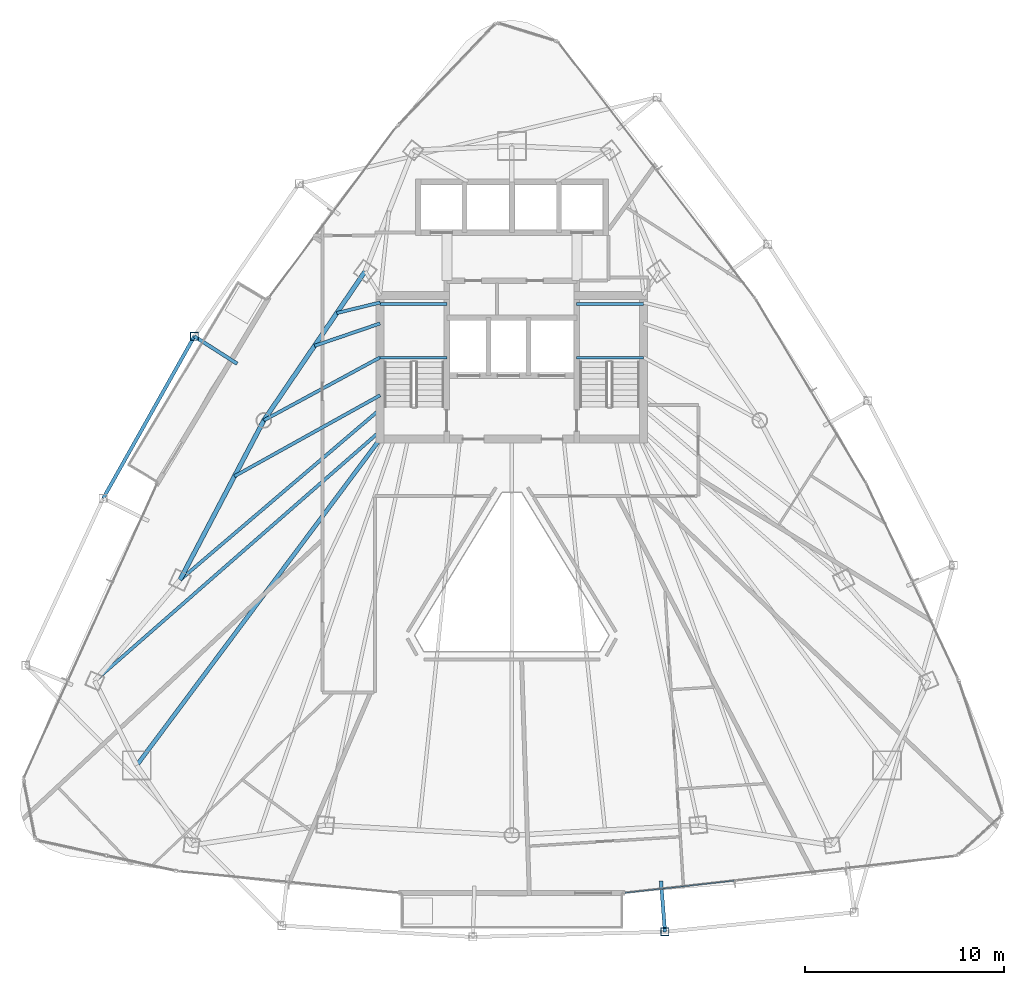
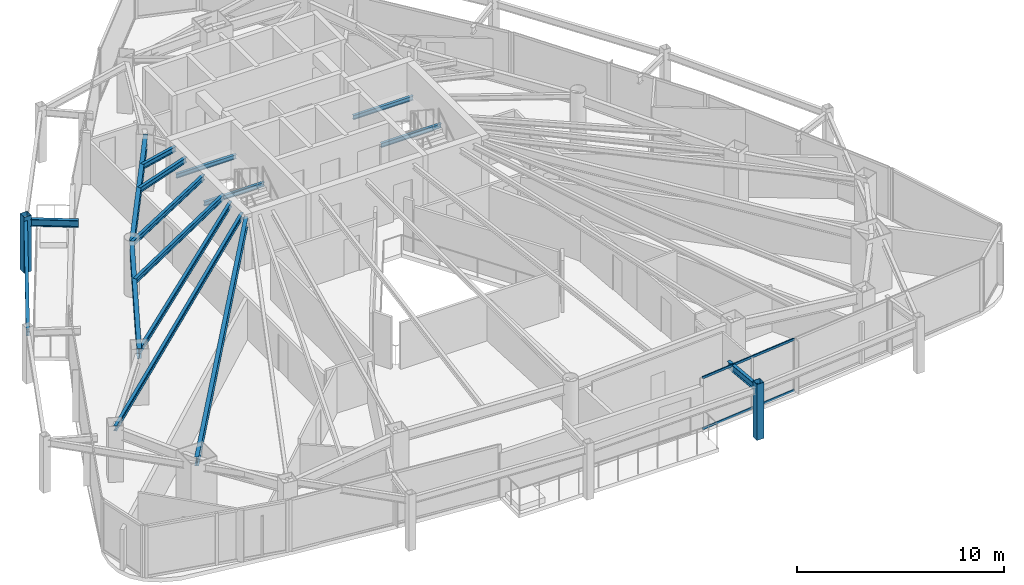
# One storey, part 11 of 29: 16 beams, 4 members, 1 element without a shape of its own.
"""IFC4 building model written with IfcOpenShell, lengths in metres."""

from ifc_helpers import new_model, si_unit, direction, frame, origin, origin_2d, place, context, subcontext, project, spatial, hollow_rectangle, i_section, extrude, material, layer, layer_set, material_profile, profile_set, type_object, element, aggregate, save


model = new_model("IFC4")

# Units and contexts
model_context = context("Model", 3, precision=1e-05, world=origin(), true_north=direction((0.0, 1.0)))
body_context = subcontext(model_context, "Body", "Model", "MODEL_VIEW")
ifc_project = project(units=[si_unit("LENGTHUNIT", "METRE"), si_unit("AREAUNIT", "SQUARE_METRE"), si_unit("VOLUMEUNIT", "CUBIC_METRE"), si_unit("PLANEANGLEUNIT", "RADIAN"), si_unit("MASSUNIT", "GRAM", prefix="KILO")], contexts=[model_context])

# Site, building, storey
site_placement = place(None, origin())
site = spatial("IfcSite", under=ifc_project, at=site_placement, CompositionType="ELEMENT")
building_placement = place(site_placement, origin())
building = spatial("IfcBuilding", under=site, at=building_placement, Name="Orvanel Arch Residences", CompositionType="ELEMENT")
storey_placement = place(building_placement, frame((0.0, 0.0, 173.75)))
storey = spatial("IfcBuildingStorey", under=building, at=storey_placement, Name="L49", CompositionType="ELEMENT", Elevation=173.75)

# Beams
ifc_material_1 = material(Name="Structural steel AS/NZS 3679.1 Grade 300 (300 MPa)", Category="steel")
ifc_material_profile_1 = material_profile(ifc_material_1, i_section(OverallWidth=0.208984375, OverallDepth=0.532958984375, WebThickness=0.01025390625, FlangeThickness=0.015625, at=origin_2d()), Name="530UB92.4")
ifc_profile_set_1 = profile_set([ifc_material_profile_1], Name="Structural steel AS/NZS 3679.1 Grade 300 (300 MPa)")
beam_type_1 = type_object("IfcBeamType", Name="BG-530UB", PredefinedType="BEAM", material=ifc_profile_set_1)
beam_1_placement = place(storey_placement, frame((26.375, 26.675048828125, 2.79296875), z_axis=(-0.597893733742, -0.801575375839, 0.0), x_axis=(0.801575375839, -0.597893733742, 0.0)))
element("IfcBeam", 1, at=beam_1_placement, inside=storey, type_object=beam_type_1, Name="L49 South-West Radial Girder", PredefinedType="BEAM", context=body_context, shape_type="SweptSolid", body=[
    extrude(i_section(OverallWidth=0.208984375, OverallDepth=0.532958984375, WebThickness=0.01025390625, FlangeThickness=0.015625, at=origin_2d()), origin(), (0.0, 0.0, 1.0), 20.36474609375),
])
ifc_material_profile_2 = material_profile(ifc_material_1, i_section(OverallWidth=0.14599609375, OverallDepth=0.251953125, WebThickness=0.006103515625, FlangeThickness=0.008544921875, at=origin_2d()), Name="250UB31.4")
ifc_profile_set_2 = profile_set([ifc_material_profile_2], Name="Structural steel AS/NZS 3679.1 Grade 300 (300 MPa)")
beam_type_2 = type_object("IfcBeamType", Name="BJ-250UB", PredefinedType="JOIST", material=ifc_profile_set_2)
for number, where, z_axis, x_axis, name in (
    (2, (26.39990234375, 30.780029296875, 1.323974609375), (1.0, 0.0, 0.0), (0.0, 1.0, 0.0), "L49 ST-1 Half-Landing Support Beam 1.1"),
    (3, (26.39990234375, 33.47998046875, 1.323974609375), (1.0, 0.0, 0.0), (0.0, 1.0, 0.0), "L49 ST-1 Half-Landing Support Beam 1.2"),
    (4, (36.25, 30.780029296875, 1.323974609375), (1.0, 0.0, 0.0), (0.0, 1.0, 0.0), "L49 ST-2 Half-Landing Support Beam 1.1"),
    (5, (36.25, 33.47998046875, 1.323974609375), (1.0, 0.0, 0.0), (0.0, 1.0, 0.0), "L49 ST-2 Half-Landing Support Beam 1.2"),
):
    element("IfcBeam", number, at=place(storey_placement, frame(where, z_axis=z_axis, x_axis=x_axis)), inside=storey, type_object=beam_type_2, Name=name, PredefinedType="JOIST", context=body_context, shape_type="SweptSolid", body=[
        extrude(i_section(OverallWidth=0.14599609375, OverallDepth=0.251953125, WebThickness=0.006103515625, FlangeThickness=0.008544921875, at=origin_2d()), origin(), (0.0, 0.0, 1.0), 3.35009765625),
    ])
ifc_material_profile_3 = material_profile(ifc_material_1, i_section(OverallWidth=0.1650390625, OverallDepth=0.303955078125, WebThickness=0.006103515625, FlangeThickness=0.01025390625, at=origin_2d()), Name="310UB40.4")
ifc_profile_set_3 = profile_set([ifc_material_profile_3], Name="Structural steel AS/NZS 3679.1 Grade 300 (300 MPa)")
beam_type_3 = type_object("IfcBeamType", Name="BJ-310UB", PredefinedType="JOIST", material=ifc_profile_set_3)
beam_2_placement = place(storey_placement, frame((26.39990234375, 30.800048828125, 2.907958984375), z_axis=(-0.87925534649, -0.476350748576, 0.0), x_axis=(0.476350748576, -0.87925534649, 0.0)))
element("IfcBeam", 6, at=beam_2_placement, inside=storey, type_object=beam_type_3, Name="L49 NW Wing Floor Joist", PredefinedType="JOIST", context=body_context, shape_type="SweptSolid", body=[
    extrude(i_section(OverallWidth=0.1650390625, OverallDepth=0.303955078125, WebThickness=0.006103515625, FlangeThickness=0.01025390625, at=origin_2d()), origin(), (0.0, 0.0, 1.0), 6.631591796875),
])
beam_3_placement = place(storey_placement, frame((26.39990234375, 28.199951171875, 2.907958984375), z_axis=(-0.760821315761, -0.648961420644, 0.0), x_axis=(0.648961420644, -0.760821315761, 0.0)))
element("IfcBeam", 7, at=beam_3_placement, inside=storey, type_object=beam_type_3, Name="L49 W Wing Floor Joist", PredefinedType="JOIST", context=body_context, shape_type="SweptSolid", body=[
    extrude(i_section(OverallWidth=0.1650390625, OverallDepth=0.303955078125, WebThickness=0.006103515625, FlangeThickness=0.01025390625, at=origin_2d()), origin(), (0.0, 0.0, 1.0), 13.18701171875),
])
beam_4_placement = place(storey_placement, frame((26.39990234375, 32.5, 2.907958984375), z_axis=(-0.946441958332, -0.322873999431, 0.0), x_axis=(0.322873999431, -0.946441958332, 0.0)))
element("IfcBeam", 8, at=beam_4_placement, inside=storey, type_object=beam_type_3, Name="L49 WNW Wing Floor Joist", PredefinedType="JOIST", context=body_context, shape_type="SweptSolid", body=[
    extrude(i_section(OverallWidth=0.1650390625, OverallDepth=0.303955078125, WebThickness=0.006103515625, FlangeThickness=0.01025390625, at=origin_2d()), origin(), (0.0, 0.0, 1.0), 3.478271484375),
])
beam_5_placement = place(storey_placement, frame((26.39990234375, 27.10009765625, 2.907958984375), z_axis=(-0.752493154183, -0.658600070534, 0.0), x_axis=(0.658600070534, -0.752493154183, 0.0)))
element("IfcBeam", 9, at=beam_5_placement, inside=storey, type_object=beam_type_3, Name="L49 MW Wing Floor Joist", PredefinedType="JOIST", context=body_context, shape_type="SweptSolid", body=[
    extrude(i_section(OverallWidth=0.1650390625, OverallDepth=0.303955078125, WebThickness=0.006103515625, FlangeThickness=0.01025390625, at=origin_2d()), origin(), (0.0, 0.0, 1.0), 19.010009765625),
])
beam_6_placement = place(storey_placement, frame((26.39990234375, 28.89990234375, 2.907958984375), z_axis=(-0.87404697606, -0.485841418202, 0.0), x_axis=(0.485841418202, -0.87404697606, 0.0)))
element("IfcBeam", 10, at=beam_6_placement, inside=storey, type_object=beam_type_3, Name="L49 CTW Wing Floor Joist", PredefinedType="JOIST", context=body_context, shape_type="SweptSolid", body=[
    extrude(i_section(OverallWidth=0.1650390625, OverallDepth=0.303955078125, WebThickness=0.006103515625, FlangeThickness=0.01025390625, at=origin_2d()), origin(), (0.0, 0.0, 1.0), 8.354248046875),
])
beam_7_placement = place(storey_placement, frame((26.39990234375, 33.550048828125, 2.907958984375), z_axis=(-0.971638471014, -0.236471312521, 0.0), x_axis=(0.236471312521, -0.971638471014, 0.0)))
element("IfcBeam", 11, at=beam_7_placement, inside=storey, type_object=beam_type_3, Name="L49 JADD3 Wing Floor Joist", PredefinedType="JOIST", context=body_context, shape_type="SweptSolid", body=[
    extrude(i_section(OverallWidth=0.1650390625, OverallDepth=0.303955078125, WebThickness=0.006103515625, FlangeThickness=0.01025390625, at=origin_2d()), origin(), (0.0, 0.0, 1.0), 2.2373046875),
])
ifc_material_profile_4 = material_profile(ifc_material_1, i_section(OverallWidth=0.177978515625, OverallDepth=0.406005859375, WebThickness=0.0078125, FlangeThickness=0.0126953125, at=origin_2d()), Name="410UB59.7")
ifc_profile_set_4 = profile_set([ifc_material_profile_4], Name="Structural steel AS/NZS 3679.1 Grade 300 (300 MPa)")
beam_type_4 = type_object("IfcBeamType", Name="OB-410UB-EXT", PredefinedType="SPANDREL", material=ifc_profile_set_4)
beam_8_placement = place(storey_placement, frame((19.23388671875, 30.47998046875, 2.85693359375), z_axis=(-0.842563471416, 0.538597063337, 0.0), x_axis=(-0.538597063337, -0.842563471416, 0.0)))
element("IfcBeam", 12, at=beam_8_placement, inside=storey, type_object=beam_type_4, Name="L49 Outer Frame Radial Tie Beam 02", PredefinedType="SPANDREL", context=body_context, shape_type="SweptSolid", body=[
    extrude(i_section(OverallWidth=0.177978515625, OverallDepth=0.406005859375, WebThickness=0.0078125, FlangeThickness=0.0126953125, at=origin_2d()), origin(), (0.0, 0.0, 1.0), 2.54931640625),
])
beam_9_placement = place(storey_placement, frame((17.0859375, 31.85302734375, 2.85693359375), z_axis=(-0.490320919512, -0.871541964502, 0.0), x_axis=(0.871541964502, -0.490320919512, 0.0)))
element("IfcBeam", 13, at=beam_9_placement, inside=storey, type_object=beam_type_4, Name="L49 Outer Perimeter Floor Ring Beam 02", PredefinedType="SPANDREL", context=body_context, shape_type="SweptSolid", body=[
    extrude(i_section(OverallWidth=0.177978515625, OverallDepth=0.406005859375, WebThickness=0.0078125, FlangeThickness=0.0126953125, at=origin_2d()), origin(), (0.0, 0.0, 1.0), 9.322509765625),
])
beam_10_placement = place(storey_placement, frame((40.47900390625, 4.5458984375, 2.85693359375), z_axis=(0.07800658293, -0.99695284393, 0.0), x_axis=(0.99695284393, 0.07800658293, 0.0)))
element("IfcBeam", 14, at=beam_10_placement, inside=storey, type_object=beam_type_4, Name="L49 Outer Frame Radial Tie Beam 07", PredefinedType="SPANDREL", context=body_context, shape_type="SweptSolid", body=[
    extrude(i_section(OverallWidth=0.177978515625, OverallDepth=0.406005859375, WebThickness=0.0078125, FlangeThickness=0.0126953125, at=origin_2d()), origin(), (0.0, 0.0, 1.0), 2.55078125),
])
ifc_material_profile_5 = material_profile(ifc_material_1, i_section(OverallWidth=0.22900390625, OverallDepth=0.612060546875, WebThickness=0.011962890625, FlangeThickness=0.01953125, at=origin_2d()), Name="610UB125")
ifc_profile_set_5 = profile_set([ifc_material_profile_5], Name="Structural steel AS/NZS 3679.1 Grade 300 (300 MPa)")
beam_type_5 = type_object("IfcBeamType", Name="SP-610UB", PredefinedType="SPANDREL", material=ifc_profile_set_5)
beam_11_placement = place(storey_placement, frame((25.64794921875, 35.113037109375, 2.75390625), z_axis=(-0.562154793153, -0.827032035978, 0.0), x_axis=(0.827032035978, -0.562154793153, 0.0)))
element("IfcBeam", 15, at=beam_11_placement, inside=storey, type_object=beam_type_5, Name="L49 Perimeter Spandrel Beam 17", PredefinedType="SPANDREL", context=body_context, shape_type="SweptSolid", body=[
    extrude(i_section(OverallWidth=0.22900390625, OverallDepth=0.612060546875, WebThickness=0.011962890625, FlangeThickness=0.01953125, at=origin_2d()), origin(), (0.0, 0.0, 1.0), 9.03466796875),
])
beam_12_placement = place(storey_placement, frame((20.569091796875, 27.64111328125, 2.75390625), z_axis=(-0.465064762793, -0.885276660942, 0.0), x_axis=(0.885276660942, -0.465064762793, 0.0)))
element("IfcBeam", 16, at=beam_12_placement, inside=storey, type_object=beam_type_5, Name="L49 Perimeter Spandrel Beam 18", PredefinedType="SPANDREL", context=body_context, shape_type="SweptSolid", body=[
    extrude(i_section(OverallWidth=0.22900390625, OverallDepth=0.612060546875, WebThickness=0.011962890625, FlangeThickness=0.01953125, at=origin_2d()), origin(), (0.0, 0.0, 1.0), 9.03564453125),
])

# Members
ifc_material_2 = material(Name="Structural steel AS/NZS 1163 C450L0 (Grade 450)", Category="steel")
ifc_material_profile_6 = material_profile(ifc_material_2, hollow_rectangle(XDim=0.39990234375, YDim=0.39990234375, WallThickness=0.01611328125, at=origin_2d()), Name="SHS400x400x16")
ifc_profile_set_6 = profile_set([ifc_material_profile_6], Name="Structural steel AS/NZS 1163 C450L0 (Grade 450)")
member_type_1 = type_object("IfcMemberType", Name="ST-400SHS-EXT", PredefinedType="STRUT", material=ifc_profile_set_6)
for number, where, z_axis, x_axis, name in (
    (17, (17.0859375, 31.85302734375, 0.0), (0.0, 0.0, 1.0), (1.0, 0.0, 0.0), "L49 Outer Perimeter Frame Post 02"),
    (18, (40.677978515625, 2.0029296875, 0.0), (0.0, 0.0, 1.0), (1.0, 0.0, 0.0), "L49 Outer Perimeter Frame Post 07"),
):
    element("IfcMember", number, at=place(storey_placement, frame(where, z_axis=z_axis, x_axis=x_axis)), inside=storey, type_object=member_type_1, Name=name, PredefinedType="STRUT", context=body_context, shape_type="SweptSolid", body=[
        extrude(hollow_rectangle(XDim=0.39990234375, YDim=0.39990234375, WallThickness=0.01611328125, at=origin_2d()), origin(), (0.0, 0.0, 1.0), 3.300048828125),
    ])

# Curtain wall, members
ifc_material_3 = material(Name="Bronze-anodised aluminium AA6063-T6", Category="aluminium")
ifc_layer = layer(ifc_material_3, 0.179931640625)
ifc_layer_set = layer_set([ifc_layer], Name="Bronze-anodised aluminium AA6063-T6")
curtain_wall_type = type_object("IfcCurtainWallType", Name="CW3-MID-SYS", PredefinedType="NOTDEFINED", material=ifc_layer_set)
curtain_wall_placement = place(storey_placement, origin())
curtain_wall = element("IfcCurtainWall", 19, at=curtain_wall_placement, inside=storey, type_object=curtain_wall_type, Name="L49 CW3-MID-SYS Unitised Curtain Wall", PredefinedType="NOTDEFINED")
ifc_material_profile_7 = material_profile(ifc_material_3, hollow_rectangle(XDim=0.06005859375, YDim=0.135009765625, WallThickness=0.00390625, at=origin_2d()), Name="ALU135x60x4")
ifc_profile_set_7 = profile_set([ifc_material_profile_7], Name="Bronze-anodised aluminium AA6063-T6")
member_type_2 = type_object("IfcMemberType", Name="TRN-135x60", PredefinedType="USERDEFINED", material=ifc_profile_set_7)
member_1_placement = place(storey_placement, frame((38.66748046875, 3.954833984375, 0.030029296875), z_axis=(0.993841943427, 0.110807001069, 0.0), x_axis=(-0.110807001069, 0.993841943427, 0.0)))
member_1 = element("IfcMember", 20, at=member_1_placement, type_object=member_type_2, Name="CW-S3 transom 1.1", ObjectType="TRANSOM", PredefinedType="USERDEFINED", context=body_context, shape_type="SweptSolid", body=[
    extrude(hollow_rectangle(XDim=0.06005859375, YDim=0.135009765625, WallThickness=0.00390625, at=origin_2d()), origin(), (0.0, 0.0, 1.0), 5.4951171875),
])
member_2_placement = place(storey_placement, frame((38.66748046875, 3.954833984375, 3.030029296875), z_axis=(0.993841943427, 0.110807001069, 0.0), x_axis=(-0.110807001069, 0.993841943427, 0.0)))
member_2 = element("IfcMember", 21, at=member_2_placement, type_object=member_type_2, Name="CW-S3 transom 1.2", ObjectType="TRANSOM", PredefinedType="USERDEFINED", context=body_context, shape_type="SweptSolid", body=[
    extrude(hollow_rectangle(XDim=0.06005859375, YDim=0.135009765625, WallThickness=0.00390625, at=origin_2d()), origin(), (0.0, 0.0, 1.0), 5.4951171875),
])
aggregate(curtain_wall, [member_1, member_2])

save(model, "model.ifc")
